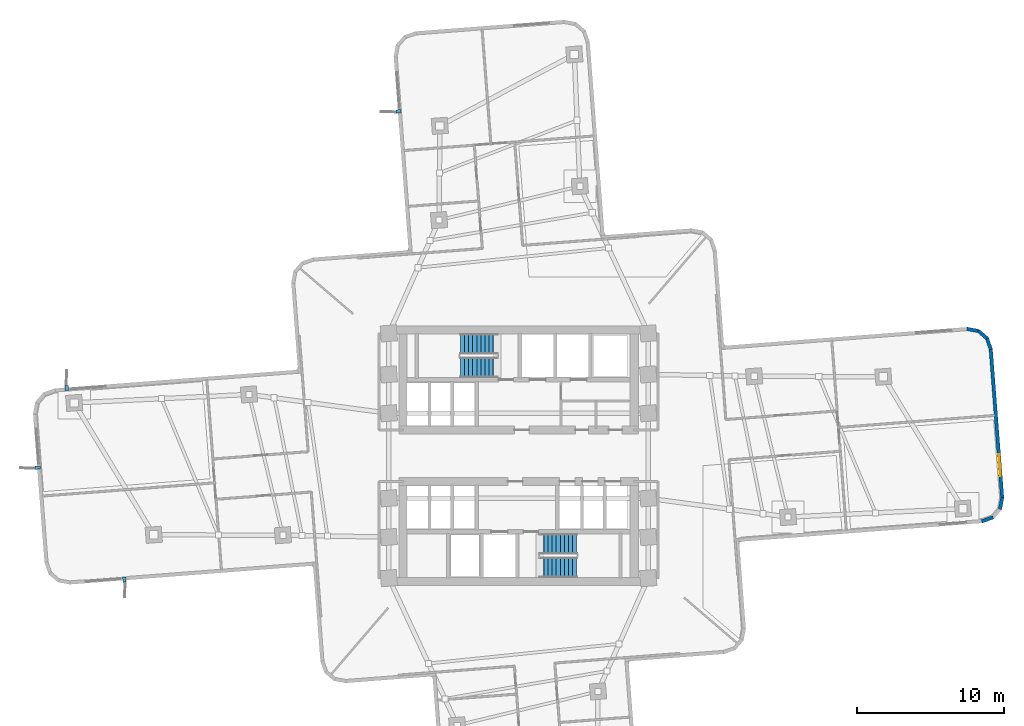
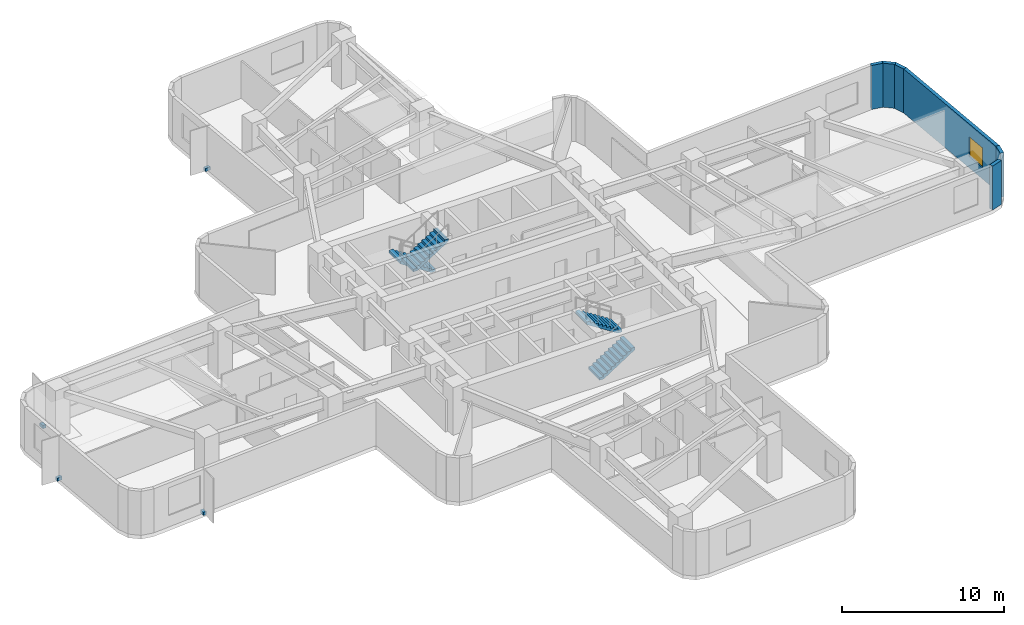
# One storey, part 6 of 10: 6 walls, 4 discrete accessories, 4 stair flights, 1 window, 1 opening, 2 elements without a shape of their own.
"""IFC4 building model written with IfcOpenShell, lengths in metres."""

from ifc_helpers import new_model, si_unit, direction, frame, frame_2d, origin, origin_2d, place, context, subcontext, project, spatial, polyline, rectangle, outline, extrude, material, layer, layer_set, type_object, element, fill, aggregate, save


model = new_model("IFC4")

# Units and contexts
model_context = context("Model", 3, precision=1e-05, world=origin(), true_north=direction((0.0, 1.0)))
body_context = subcontext(model_context, "Body", "Model", "MODEL_VIEW")
ifc_project = project(units=[si_unit("LENGTHUNIT", "METRE"), si_unit("AREAUNIT", "SQUARE_METRE"), si_unit("VOLUMEUNIT", "CUBIC_METRE"), si_unit("PLANEANGLEUNIT", "RADIAN"), si_unit("MASSUNIT", "GRAM", prefix="KILO")], contexts=[model_context])

# Site, building, storey
site_placement = place(None, origin())
site = spatial("IfcSite", under=ifc_project, at=site_placement, CompositionType="ELEMENT")
building_placement = place(site_placement, origin())
building = spatial("IfcBuilding", under=site, at=building_placement, Name="Solmarez Civic Tower", CompositionType="ELEMENT")
storey_placement = place(building_placement, frame((0.0, 0.0, 56.8798828125)))
storey = spatial("IfcBuildingStorey", under=building, at=storey_placement, Name="L14", CompositionType="ELEMENT", Elevation=56.8798828125)

# Walls
ifc_material_1 = material(Name="Precast concrete C40/50", Category="concrete")
ifc_layer = layer(ifc_material_1, 0.239990234375)
ifc_layer_set = layer_set([ifc_layer], Name="Precast concrete C40/50")
wall_type = type_object("IfcWallType", Name="WALL-EXT-240", PredefinedType="SOLIDWALL", material=ifc_layer_set)
wall_1_placement = place(storey_placement, frame((30.5849609375, 8.658935546875, 0.0), z_axis=(0.0, 0.0, 1.0), x_axis=(0.982688894005, -0.185263427582, 0.0)))
element("IfcWall", 1, at=wall_1_placement, inside=storey, type_object=wall_type, Name="L14 Exterior Precast Wall 39", PredefinedType="SOLIDWALL", context=body_context, shape_type="SweptSolid", body=[
    extrude(rectangle(XDim=0.83154296875, YDim=0.239990234375, at=frame_2d((0.415771484375, 0.0))), origin(), (0.0, 0.0, 1.0), 3.320068359375),
])
wall_2_placement = place(storey_placement, frame((31.35791015625, 8.52587890625, 0.0), z_axis=(0.0, 0.0, 1.0), x_axis=(0.759891778471, -0.650049601962, 0.0)))
element("IfcWall", 2, at=wall_2_placement, inside=storey, type_object=wall_type, Name="L14 Exterior Precast Wall 40", PredefinedType="SOLIDWALL", context=body_context, shape_type="SweptSolid", body=[
    extrude(rectangle(XDim=0.8134765625, YDim=0.239990234375, at=frame_2d((0.40673828125, 0.0))), origin(), (0.0, 0.0, 1.0), 3.320068359375),
])
wall_3_placement = place(storey_placement, frame((31.948974609375, 8.037109375, 0.0), z_axis=(0.0, 0.0, 1.0), x_axis=(0.332128799234, -0.943234043448, 0.0)))
element("IfcWall", 3, at=wall_3_placement, inside=storey, type_object=wall_type, Name="L14 Exterior Precast Wall 41", PredefinedType="SOLIDWALL", context=body_context, shape_type="SweptSolid", body=[
    extrude(rectangle(XDim=0.831298828125, YDim=0.239990234375, at=frame_2d((0.41552734375, 0.0))), origin(), (0.0, 0.0, 1.0), 3.320068359375),
])

# Wall, opening, window
wall_4_placement = place(storey_placement, frame((32.215087890625, 7.302001953125, 0.0), z_axis=(0.0, 0.0, 1.0), x_axis=(0.076720251263, -0.997052658111, 0.0)))
wall_4 = element("IfcWall", 4, at=wall_4_placement, inside=storey, type_object=wall_type, Name="L14 Exterior Precast Wall 42", PredefinedType="SOLIDWALL", context=body_context, shape_type="SweptSolid", body=[
    extrude(rectangle(XDim=10.218017578125, YDim=0.239990234375, at=frame_2d((5.10888671875, 0.0))), origin(), (0.0, 0.0, 1.0), 3.320068359375),
])
opening_placement = place(wall_4_placement, frame((7.219970703125, 0.0, 0.85009765625)))
opening = element("IfcOpeningElement", 5, at=opening_placement, cuts=wall_4, Name="Opening W-14", PredefinedType="OPENING", context=body_context, shape_type="SweptSolid", body=[
    extrude(rectangle(XDim=1.5, YDim=1.5, at=frame_2d((0.75, 0.75))), frame((0.0, 0.1298828125, 0.0), z_axis=(0.0, -1.0, 0.0), x_axis=(1.0, 0.0, 0.0)), (0.0, 0.0, 1.0), 0.260009765625),
])
ifc_material_2 = material(Name="Solar Control Bronze-Tinted Insulating Glass", Category="glass")
window_type = type_object("IfcWindowType", Name="WIN-1500X1500", PartitioningType="SINGLE_PANEL", PredefinedType="WINDOW", material=ifc_material_2)
window_placement = place(opening_placement, origin())
window = element("IfcWindow", 6, at=window_placement, inside=storey, type_object=window_type, Name="L14 Exterior Facade Window 42", OverallHeight=1.5, OverallWidth=1.5, PartitioningType="SINGLE_PANEL", PredefinedType="WINDOW", context=body_context, shape_type="SweptSolid", body=[
    extrude(rectangle(XDim=1.5, YDim=1.5, at=frame_2d((0.75, 0.75))), frame((0.0, 0.030029296875, 0.0), z_axis=(0.0, -1.0, 0.0), x_axis=(1.0, 0.0, 0.0)), (0.0, 0.0, 1.0), 0.06005859375),
])
fill(opening, window)

# Walls
wall_5_placement = place(storey_placement, frame((33.001953125, -2.8359375, 0.0), z_axis=(0.0, 0.0, 1.0), x_axis=(-0.185263427582, -0.982688894005, 0.0)))
element("IfcWall", 7, at=wall_5_placement, inside=storey, type_object=wall_type, Name="L14 Exterior Precast Wall 43", PredefinedType="SOLIDWALL", context=body_context, shape_type="SweptSolid", body=[
    extrude(rectangle(XDim=0.83154296875, YDim=0.239990234375, at=frame_2d((0.415771484375, 0.0))), origin(), (0.0, 0.0, 1.0), 3.320068359375),
])
wall_6_placement = place(storey_placement, frame((32.3798828125, -4.199951171875, 0.0), z_axis=(0.0, 0.0, 1.0), x_axis=(-0.943569376564, -0.331174926, 0.0)))
element("IfcWall", 8, at=wall_6_placement, inside=storey, type_object=wall_type, Name="L14 Exterior Precast Wall 45", PredefinedType="SOLIDWALL", context=body_context, shape_type="SweptSolid", body=[
    extrude(rectangle(XDim=0.830810546875, YDim=0.239990234375, at=frame_2d((0.41552734375, 0.0))), origin(), (0.0, 0.0, 1.0), 3.320068359375),
])

# Stair, stair flights
ifc_material_3 = material(Name="Concrete C50/60", Category="concrete")
stair_type = type_object("IfcStairType", Name="STAIR-DOGLEG-140W-20R-1800", PredefinedType="HALF_TURN_STAIR", material=ifc_material_3)
stair_1_placement = place(storey_placement, origin())
stair_1 = element("IfcStair", 9, at=stair_1_placement, inside=storey, type_object=stair_type, Name="L14 North Core Protected Exit Stair ST-1", PredefinedType="HALF_TURN_STAIR")
stair_flight_type = type_object("IfcStairFlightType", Name="FLIGHT-DOGLEG-140W-10R-1800", PredefinedType="STRAIGHT", material=ifc_material_3)
stair_flight_1_placement = place(storey_placement, frame((-1.449951171875, 7.6201171875, 0.0), z_axis=(0.0, 0.0, 1.0), x_axis=(-1.0, 0.0, 0.0)))
stair_flight_1 = element("IfcStairFlight", 10, at=stair_flight_1_placement, type_object=stair_flight_type, Name="ST-1 flight 1", NumberOfRisers=10, NumberOfTreads=9, PredefinedType="STRAIGHT", RiserHeight=0.18, TreadLength=0.28, context=body_context, shape_type="SweptSolid", body=[
    extrude(outline(polyline([(0.0, 0.0), (0.0, 0.179931640625), (0.280029296875, 0.179931640625), (0.280029296875, 0.360107421875), (0.56005859375, 0.360107421875), (0.56005859375, 0.5400390625), (0.840087890625, 0.5400390625), (0.840087890625, 0.719970703125), (1.1201171875, 0.719970703125), (1.1201171875, 0.89990234375), (1.39990234375, 0.89990234375), (1.39990234375, 1.080078125), (1.679931640625, 1.080078125), (1.679931640625, 1.260009765625), (1.9599609375, 1.260009765625), (1.9599609375, 1.43994140625), (2.239990234375, 1.43994140625), (2.239990234375, 1.6201171875), (2.52001953125, 1.6201171875), (2.52001953125, 1.800048828125), (2.52001953125, 1.429931640625), (0.295654296875, 0.0), (0.0, 0.0)])), frame((0.0, 0.699951171875, 0.0), z_axis=(0.0, -1.0, 0.0), x_axis=(1.0, 0.0, 0.0)), (0.0, 0.0, 1.0), 1.39990234375),
])
stair_flight_2_placement = place(storey_placement, frame((-3.969970703125, 6.02001953125, 1.800048828125), z_axis=(0.0, 0.0, 1.0), x_axis=(1.0, 0.0, 0.0)))
stair_flight_2 = element("IfcStairFlight", 11, at=stair_flight_2_placement, type_object=stair_flight_type, Name="ST-1 flight 2", NumberOfRisers=10, NumberOfTreads=9, PredefinedType="STRAIGHT", RiserHeight=0.18, TreadLength=0.28, context=body_context, shape_type="SweptSolid", body=[
    extrude(outline(polyline([(0.0, 0.0), (0.0, 0.179931640625), (0.280029296875, 0.179931640625), (0.280029296875, 0.360107421875), (0.56005859375, 0.360107421875), (0.56005859375, 0.5400390625), (0.840087890625, 0.5400390625), (0.840087890625, 0.719970703125), (1.1201171875, 0.719970703125), (1.1201171875, 0.89990234375), (1.39990234375, 0.89990234375), (1.39990234375, 1.080078125), (1.679931640625, 1.080078125), (1.679931640625, 1.260009765625), (1.9599609375, 1.260009765625), (1.9599609375, 1.43994140625), (2.239990234375, 1.43994140625), (2.239990234375, 1.6201171875), (2.52001953125, 1.6201171875), (2.52001953125, 1.800048828125), (2.52001953125, 1.429931640625), (0.295654296875, 0.0), (0.0, 0.0)])), frame((0.0, 0.699951171875, 0.0), z_axis=(0.0, -1.0, 0.0), x_axis=(1.0, 0.0, 0.0)), (0.0, 0.0, 1.0), 1.39990234375),
])
aggregate(stair_1, [stair_flight_1, stair_flight_2])

stair_2_placement = place(storey_placement, origin())
stair_2 = element("IfcStair", 12, at=stair_2_placement, inside=storey, type_object=stair_type, Name="L14 South Core Protected Exit Stair ST-2", PredefinedType="HALF_TURN_STAIR")
stair_flight_3_placement = place(storey_placement, frame((1.449951171875, -7.6201171875, 0.0), z_axis=(0.0, 0.0, 1.0), x_axis=(1.0, 0.0, 0.0)))
stair_flight_3 = element("IfcStairFlight", 13, at=stair_flight_3_placement, type_object=stair_flight_type, Name="ST-2 flight 1", NumberOfRisers=10, NumberOfTreads=9, PredefinedType="STRAIGHT", RiserHeight=0.18, TreadLength=0.28, context=body_context, shape_type="SweptSolid", body=[
    extrude(outline(polyline([(0.0, 0.0), (0.0, 0.179931640625), (0.280029296875, 0.179931640625), (0.280029296875, 0.360107421875), (0.56005859375, 0.360107421875), (0.56005859375, 0.5400390625), (0.840087890625, 0.5400390625), (0.840087890625, 0.719970703125), (1.1201171875, 0.719970703125), (1.1201171875, 0.89990234375), (1.39990234375, 0.89990234375), (1.39990234375, 1.080078125), (1.679931640625, 1.080078125), (1.679931640625, 1.260009765625), (1.9599609375, 1.260009765625), (1.9599609375, 1.43994140625), (2.239990234375, 1.43994140625), (2.239990234375, 1.6201171875), (2.52001953125, 1.6201171875), (2.52001953125, 1.800048828125), (2.52001953125, 1.429931640625), (0.295654296875, 0.0), (0.0, 0.0)])), frame((0.0, 0.699951171875, 0.0), z_axis=(0.0, -1.0, 0.0), x_axis=(1.0, 0.0, 0.0)), (0.0, 0.0, 1.0), 1.39990234375),
])
stair_flight_4_placement = place(storey_placement, frame((3.969970703125, -6.02001953125, 1.800048828125), z_axis=(0.0, 0.0, 1.0), x_axis=(-1.0, 0.0, 0.0)))
stair_flight_4 = element("IfcStairFlight", 14, at=stair_flight_4_placement, type_object=stair_flight_type, Name="ST-2 flight 2", NumberOfRisers=10, NumberOfTreads=9, PredefinedType="STRAIGHT", RiserHeight=0.18, TreadLength=0.28, context=body_context, shape_type="SweptSolid", body=[
    extrude(outline(polyline([(0.0, 0.0), (0.0, 0.179931640625), (0.280029296875, 0.179931640625), (0.280029296875, 0.360107421875), (0.56005859375, 0.360107421875), (0.56005859375, 0.5400390625), (0.840087890625, 0.5400390625), (0.840087890625, 0.719970703125), (1.1201171875, 0.719970703125), (1.1201171875, 0.89990234375), (1.39990234375, 0.89990234375), (1.39990234375, 1.080078125), (1.679931640625, 1.080078125), (1.679931640625, 1.260009765625), (1.9599609375, 1.260009765625), (1.9599609375, 1.43994140625), (2.239990234375, 1.43994140625), (2.239990234375, 1.6201171875), (2.52001953125, 1.6201171875), (2.52001953125, 1.800048828125), (2.52001953125, 1.429931640625), (0.295654296875, 0.0), (0.0, 0.0)])), frame((0.0, 0.699951171875, 0.0), z_axis=(0.0, -1.0, 0.0), x_axis=(1.0, 0.0, 0.0)), (0.0, 0.0, 1.0), 1.39990234375),
])
aggregate(stair_2, [stair_flight_3, stair_flight_4])

# Discrete accessories
ifc_material_4 = material(Name="Stainless Steel Grade 1.4401", Category="steel")
discrete_accessory_type = type_object("IfcDiscreteAccessoryType", Name="BRACKET-SS-FIN", PredefinedType="BRACKET", material=ifc_material_4)
for number, where, z_axis, x_axis, name in (
    (15, (-26.889892578125, -8.447998046875, -0.06005859375), (0.0, 0.0, 1.0), (0.076701063381, -0.997054134376, 0.0), "L14 Stainless Fin Support Bracket FIN-L14-01"),
    (16, (-32.794921875, -0.806884765625, -0.06005859375), (0.0, 0.0, 1.0), (-0.997053328352, -0.076711540351, 0.0), "L14 Stainless Fin Support Bracket FIN-L14-02"),
    (17, (-30.803955078125, 4.610107421875, -0.06005859375), (0.0, 0.0, 1.0), (-0.076755833377, 0.997049919534, 0.0), "L14 Stainless Fin Support Bracket FIN-L14-03"),
    (18, (-8.18798828125, 23.5009765625, -0.06005859375), (0.0, 0.0, 1.0), (-0.997055806803, -0.07667932003, 0.0), "L14 Stainless Fin Support Bracket FIN-L14-04"),
):
    element("IfcDiscreteAccessory", number, at=place(storey_placement, frame(where, z_axis=z_axis, x_axis=x_axis)), inside=storey, type_object=discrete_accessory_type, Name=name, PredefinedType="BRACKET", context=body_context, shape_type="SweptSolid", body=[
        extrude(rectangle(XDim=0.360107421875, YDim=0.219970703125, at=origin_2d()), origin(), (0.0, 0.0, 1.0), 0.239990234375),
    ])

save(model, "model.ifc")
